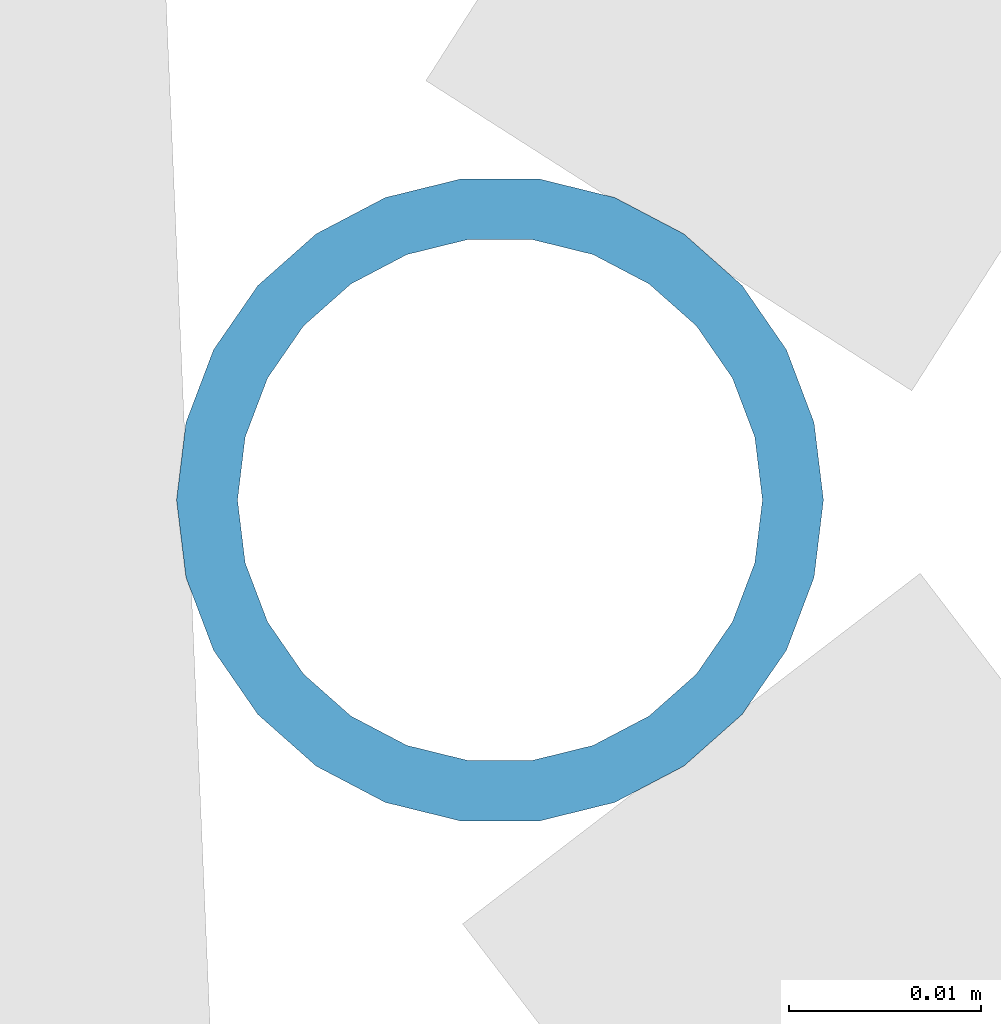
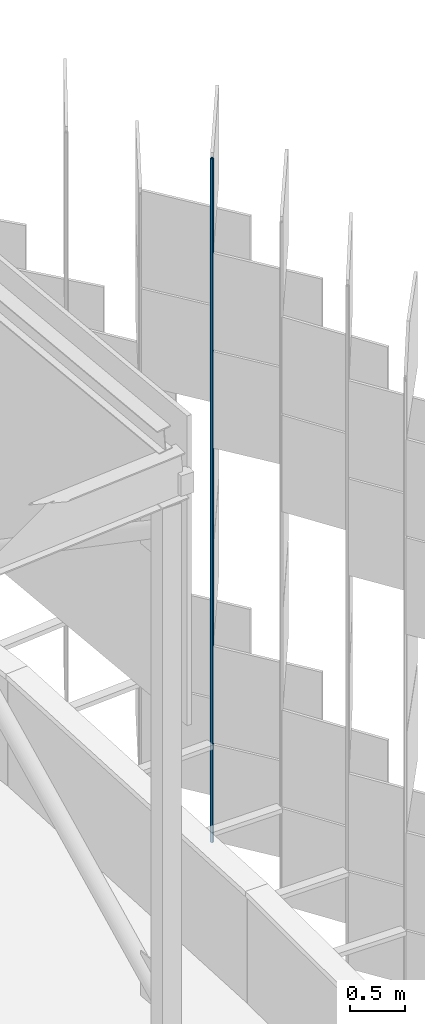
# One storey, part 288 of 483: 1 discrete accessory.
"""IFC4 building model written with IfcOpenShell, lengths in metres."""

from ifc_helpers import new_model, si_unit, direction, frame, origin, origin_2d, place, context, subcontext, project, spatial, hollow_circle, extrude, material, material_profile, profile_set, type_object, element, save


model = new_model("IFC4")

# Units and contexts
model_context = context("Model", 3, precision=1e-05, world=origin(), true_north=direction((0.0, 1.0)))
body_context = subcontext(model_context, "Body", "Model", "MODEL_VIEW")
ifc_project = project(units=[si_unit("LENGTHUNIT", "METRE"), si_unit("AREAUNIT", "SQUARE_METRE"), si_unit("VOLUMEUNIT", "CUBIC_METRE"), si_unit("PLANEANGLEUNIT", "RADIAN"), si_unit("MASSUNIT", "GRAM", prefix="KILO")], contexts=[model_context])

# Site, building, storey
site_placement = place(None, origin())
site = spatial("IfcSite", under=ifc_project, at=site_placement, CompositionType="ELEMENT")
building_placement = place(site_placement, origin())
building = spatial("IfcBuilding", under=site, at=building_placement, Name="Parallax Yard Mobility Hub", CompositionType="ELEMENT")
storey_placement = place(building_placement, frame((0.0, 0.0, 13.199951171875)))
storey = spatial("IfcBuildingStorey", under=building, at=storey_placement, Name="L04", CompositionType="ELEMENT", Elevation=13.199951171875)

# Discrete accessory
ifc_material = material(Name="Steel ASTM A500 Gr C, hot-dip galvanised", Category="steel")
ifc_material_profile = material_profile(ifc_material, hollow_circle(Radius=0.016845703125, WallThickness=0.003173828125, at=origin_2d()), Name="CHS 33.7x3.2")
ifc_profile_set = profile_set([ifc_material_profile], Name="Steel ASTM A500 Gr C, hot-dip galvanised")
discrete_accessory_type = type_object("IfcDiscreteAccessoryType", Name="Hinge post CHS 33.7x3.2", PredefinedType="BRACKET", material=ifc_profile_set)
discrete_accessory_placement = place(storey_placement, frame((225.764892578125, 92.392822265625, 0.0), z_axis=(0.0, 0.0, 1.0), x_axis=(1.0, 0.0, 0.0)))
element("IfcDiscreteAccessory", 1, at=discrete_accessory_placement, inside=storey, type_object=discrete_accessory_type, Name="Hinge post bay 41.3 level L04", PredefinedType="BRACKET", context=body_context, shape_type="SweptSolid", body=[
    extrude(hollow_circle(Radius=0.016845703125, WallThickness=0.003173828125, at=origin_2d()), origin(), (0.0, 0.0, 1.0), 7.650146484375),
])

save(model, "model.ifc")
